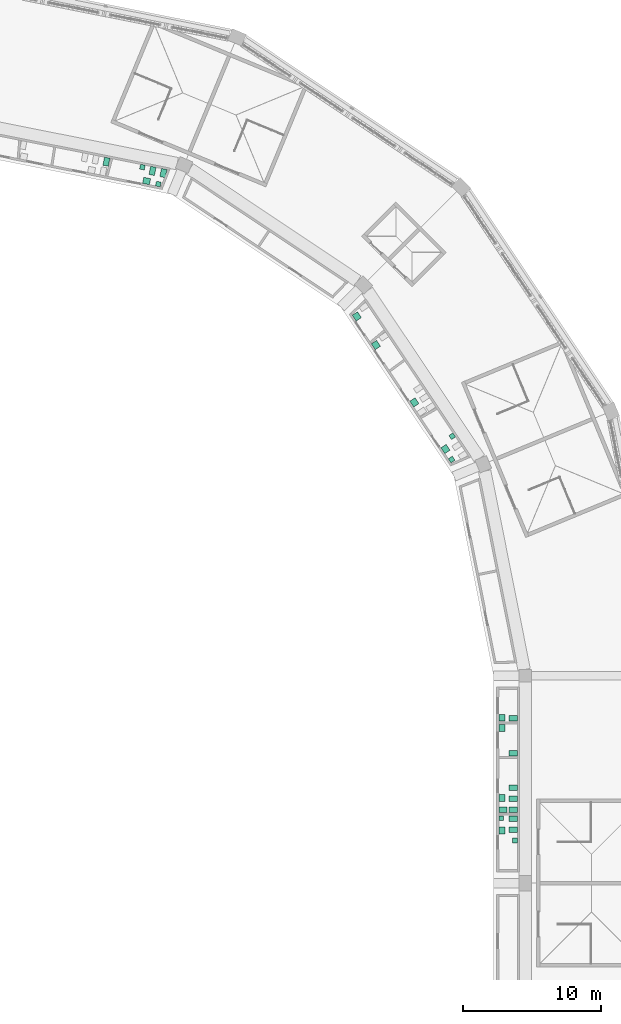
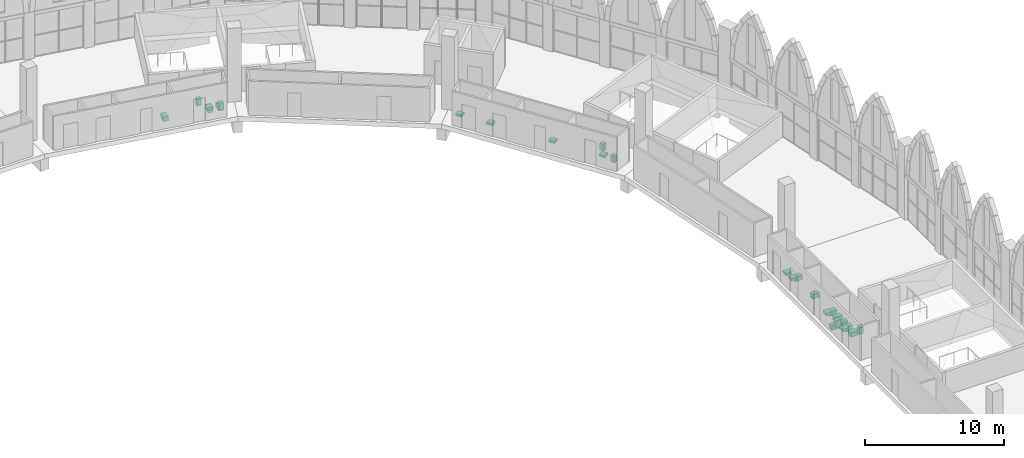
# One storey, part 130 of 130: 26 sanitary terminals.
"""IFC4 building model written with IfcOpenShell, lengths in metres."""

from ifc_helpers import new_model, si_unit, direction, frame, origin, origin_2d, place, context, subcontext, project, spatial, rectangle, extrude, material, type_object, element, save


model = new_model("IFC4")

# Units and contexts
model_context = context("Model", 3, precision=1e-05, world=origin(), true_north=direction((0.0, 1.0)))
body_context = subcontext(model_context, "Body", "Model", "MODEL_VIEW")
ifc_project = project(units=[si_unit("LENGTHUNIT", "METRE"), si_unit("AREAUNIT", "SQUARE_METRE"), si_unit("VOLUMEUNIT", "CUBIC_METRE"), si_unit("PLANEANGLEUNIT", "RADIAN"), si_unit("MASSUNIT", "GRAM", prefix="KILO")], contexts=[model_context])

# Site, building, storey
site_placement = place(None, origin())
site = spatial("IfcSite", under=ifc_project, at=site_placement, CompositionType="ELEMENT")
building_placement = place(site_placement, origin())
building = spatial("IfcBuilding", under=site, at=building_placement, Name="Ogive Plaza Stadium", CompositionType="ELEMENT")
storey_placement = place(building_placement, frame((0.0, 0.0, 22.5)))
storey = spatial("IfcBuildingStorey", under=building, at=storey_placement, Name="L05", CompositionType="ELEMENT", Elevation=22.5)

# Sanitary terminals
ifc_material_1 = material(Name="Vitreous china", Category="ceramic")
sanitary_terminal_type_1 = type_object("IfcSanitaryTerminalType", Name="Lavatory", PredefinedType="WASHHANDBASIN", material=ifc_material_1)
for number, where, z_axis, x_axis, name in (
    (1, (72.300048828125, 41.31689453125, 0.7998046875), (0.0, 0.0, 1.0), (0.0, -1.0, 0.0), "Lavatory L05-001"),
    (2, (46.59619140625, 88.298828125, 0.7998046875), (0.0, 0.0, 1.0), (-0.980785280403, 0.195090322016, 0.0), "Lavatory L05-109"),
    (3, (68.220458984375, 68.906982421875, 0.7998046875), (0.0, 0.0, 1.0), (-0.55557023302, 0.831469612303, 0.0), "Lavatory L05-115"),
    (4, (72.300048828125, 43.6669921875, 0.7998046875), (0.0, 0.0, 1.0), (0.0, 1.0, 0.0), "Lavatory L05-002"),
    (5, (65.96630859375, 72.2802734375, 0.7998046875), (0.0, 0.0, 1.0), (-0.55557023302, 0.831469612303, 0.0), "Lavatory L05-116"),
    (6, (72.300048828125, 48.717041015625, 0.7998046875), (0.0, 0.0, 1.0), (0.0, -1.0, 0.0), "Lavatory L05-003"),
    (7, (72.300048828125, 49.467041015625, 0.7998046875), (0.0, 0.0, 1.0), (0.0, 1.0, 0.0), "Lavatory L05-004"),
    (8, (63.190673828125, 76.4345703125, 0.7998046875), (0.0, 0.0, 1.0), (0.55557023302, -0.831469612303, 0.0), "Lavatory L05-117"),
    (9, (61.80908203125, 78.502197265625, 0.7998046875), (0.0, 0.0, 1.0), (0.55557023302, -0.831469612303, 0.0), "Lavatory L05-118"),
):
    element("IfcSanitaryTerminal", number, at=place(storey_placement, frame(where, z_axis=z_axis, x_axis=x_axis)), inside=storey, type_object=sanitary_terminal_type_1, Name=name, PredefinedType="WASHHANDBASIN", context=body_context, shape_type="SweptSolid", body=[
        extrude(rectangle(XDim=0.5, YDim=0.449951171875, at=origin_2d()), origin(), (0.0, 0.0, 1.0), 0.199951171875),
    ])
ifc_material_2 = material(Name="Vitreous china", Category="ceramic")
sanitary_terminal_type_2 = type_object("IfcSanitaryTerminalType", Name="Urinal", PredefinedType="URINAL", material=ifc_material_2)
for number, where, z_axis, x_axis, name in (
    (10, (73.25, 40.592041015625, 0.599853515625), (0.0, 0.0, 1.0), (0.0, -1.0, 0.0), "Urinal L05-001"),
    (11, (72.25, 42.19189453125, 0.599853515625), (0.0, 0.0, 1.0), (0.0, -1.0, 0.0), "Urinal L05-001"),
    (12, (46.290283203125, 89.302001953125, 0.599853515625), (0.0, 0.0, 1.0), (-0.980785280403, 0.195090322016, 0.0), "Urinal L05-109"),
    (13, (47.444580078125, 88.0791015625, 0.599853515625), (0.0, 0.0, 1.0), (-0.980785280403, 0.195090322016, 0.0), "Urinal L05-109"),
    (14, (68.71337890625, 69.832275390625, 0.599853515625), (0.0, 0.0, 1.0), (-0.55557023302, 0.831469612303, 0.0), "Urinal L05-115"),
    (15, (68.6650390625, 68.151611328125, 0.599853515625), (0.0, 0.0, 1.0), (-0.55557023302, 0.831469612303, 0.0), "Urinal L05-115"),
):
    element("IfcSanitaryTerminal", number, at=place(storey_placement, frame(where, z_axis=z_axis, x_axis=x_axis)), inside=storey, type_object=sanitary_terminal_type_2, Name=name, PredefinedType="URINAL", context=body_context, shape_type="SweptSolid", body=[
        extrude(rectangle(XDim=0.35009765625, YDim=0.35009765625, at=origin_2d()), origin(), (0.0, 0.0, 1.0), 0.60009765625),
    ])
ifc_material_3 = material(Name="Vitreous china", Category="ceramic")
sanitary_terminal_type_3 = type_object("IfcSanitaryTerminalType", Name="Water closet", PredefinedType="TOILETPAN", material=ifc_material_3)
for number, where, z_axis, x_axis, name in (
    (16, (73.125, 42.1669921875, 0.0), (0.0, 0.0, 1.0), (0.0, -1.0, 0.0), "Water closet L05-001"),
    (17, (73.125, 41.366943359375, 0.0), (0.0, 0.0, 1.0), (0.0, -1.0, 0.0), "Water closet L05-001"),
    (18, (47.810546875, 88.8720703125, 0.0), (0.0, 0.0, 1.0), (-0.980785280403, 0.195090322016, 0.0), "Water closet L05-109"),
    (19, (47.02587890625, 89.028076171875, 0.0), (0.0, 0.0, 1.0), (-0.980785280403, 0.195090322016, 0.0), "Water closet L05-109"),
    (20, (73.125, 42.81689453125, 0.0), (0.0, 0.0, 1.0), (0.0, 1.0, 0.0), "Water closet L05-002"),
    (21, (73.125, 43.616943359375, 0.0), (0.0, 0.0, 1.0), (0.0, 1.0, 0.0), "Water closet L05-002"),
    (22, (73.125, 44.4169921875, 0.0), (0.0, 0.0, 1.0), (0.0, 1.0, 0.0), "Water closet L05-002"),
    (23, (72.375, 42.81689453125, 0.0), (0.0, 0.0, 1.0), (0.0, 1.0, 0.0), "Water closet L05-002"),
    (24, (43.6904296875, 89.691650390625, 0.0), (0.0, 0.0, 1.0), (-0.980785280403, 0.195090322016, 0.0), "Water closet L05-110"),
    (25, (73.125, 46.908935546875, 0.0), (0.0, 0.0, 1.0), (0.0, 1.0, 0.0), "Water closet L05-003"),
    (26, (73.125, 49.4169921875, 0.0), (0.0, 0.0, 1.0), (0.0, 1.0, 0.0), "Water closet L05-004"),
):
    element("IfcSanitaryTerminal", number, at=place(storey_placement, frame(where, z_axis=z_axis, x_axis=x_axis)), inside=storey, type_object=sanitary_terminal_type_3, Name=name, PredefinedType="TOILETPAN", context=body_context, shape_type="SweptSolid", body=[
        extrude(rectangle(XDim=0.39990234375, YDim=0.60009765625, at=origin_2d()), origin(), (0.0, 0.0, 1.0), 0.39990234375),
    ])

save(model, "model.ifc")
